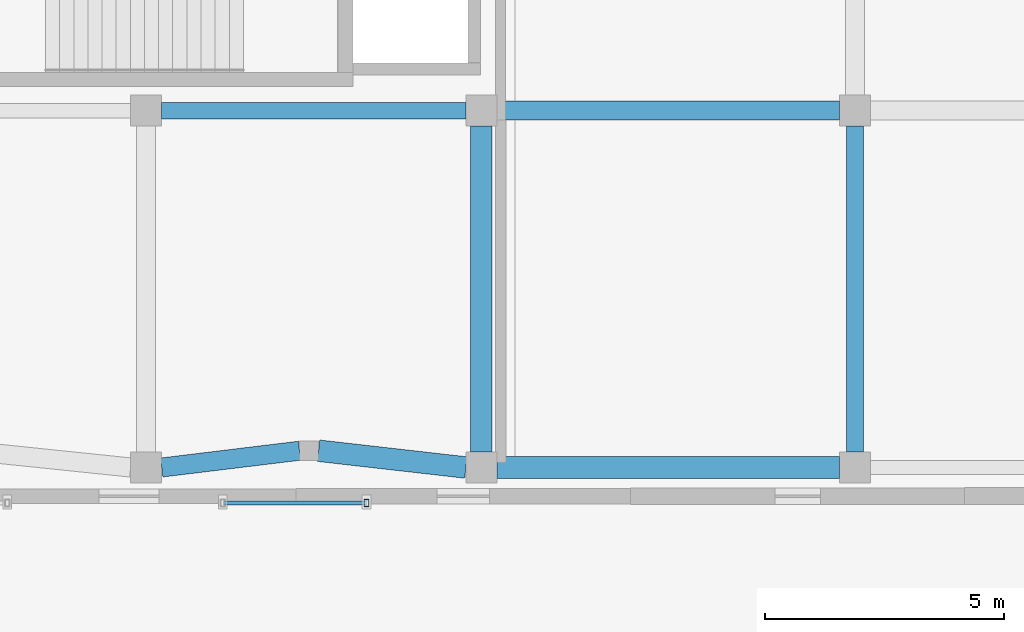
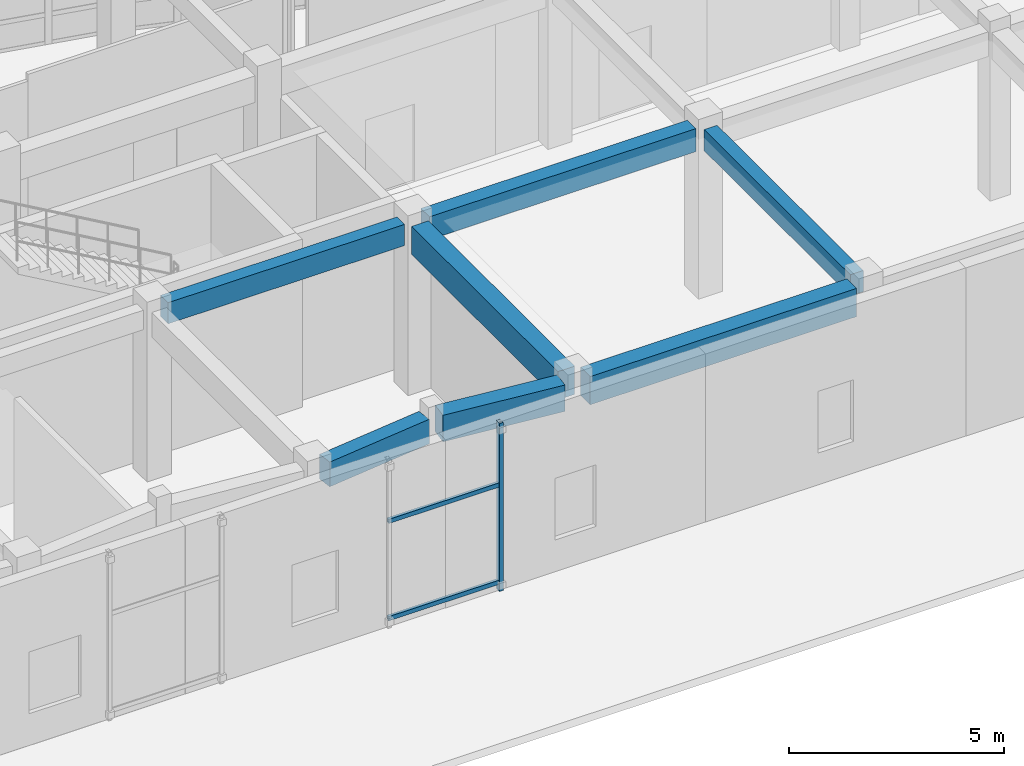
# One storey, part 33 of 121: 7 beams, 3 members.
"""IFC4 building model written with IfcOpenShell, lengths in metres."""

from ifc_helpers import new_model, si_unit, direction, frame, origin, origin_2d, place, context, subcontext, project, spatial, rectangle, hollow_rectangle, extrude, material, material_profile, profile_set, type_object, element, save


model = new_model("IFC4")

# Units and contexts
model_context = context("Model", 3, precision=1e-05, world=origin(), true_north=direction((0.0, 1.0)))
body_context = subcontext(model_context, "Body", "Model", "MODEL_VIEW")
ifc_project = project(units=[si_unit("LENGTHUNIT", "METRE"), si_unit("AREAUNIT", "SQUARE_METRE"), si_unit("VOLUMEUNIT", "CUBIC_METRE"), si_unit("PLANEANGLEUNIT", "RADIAN"), si_unit("MASSUNIT", "GRAM", prefix="KILO")], contexts=[model_context])

# Site, building, storey
site_placement = place(None, origin())
site = spatial("IfcSite", under=ifc_project, at=site_placement, CompositionType="ELEMENT")
building_placement = place(site_placement, origin())
building = spatial("IfcBuilding", under=site, at=building_placement, Name="Valcora Specialist Clinic", CompositionType="ELEMENT")
storey_placement = place(building_placement, origin())
storey = spatial("IfcBuildingStorey", under=building, at=storey_placement, Name="L00", CompositionType="ELEMENT", Elevation=0.0)

# Beams
ifc_material_1 = material(Name="Concrete C40/50", Category="concrete")
ifc_material_profile_1 = material_profile(ifc_material_1, rectangle(XDim=0.35009765625, YDim=0.60009765625, at=origin_2d()), Name="RC-BM-350X600")
ifc_profile_set_1 = profile_set([ifc_material_profile_1], Name="Concrete C40/50")
beam_type_1 = type_object("IfcBeamType", Name="TY-BM-RC350X600", PredefinedType="BEAM", material=ifc_profile_set_1)
beam_1_placement = place(storey_placement, frame((92.72509765625, 8.199951171875, 4.469970703125), z_axis=(1.0, 0.0, 0.0), x_axis=(0.0, 1.0, 0.0)))
element("IfcBeam", 1, at=beam_1_placement, inside=storey, type_object=beam_type_1, Name="Beam BM-L00-1238", PredefinedType="BEAM", context=body_context, shape_type="SweptSolid", body=[
    extrude(rectangle(XDim=0.35009765625, YDim=0.60009765625, at=origin_2d()), origin(), (0.0, 0.0, 1.0), 6.349853515625),
])
beam_2_placement = place(storey_placement, frame((107.199951171875, 1.074951171875, 4.469970703125), z_axis=(0.0, 1.0, 0.0), x_axis=(-1.0, 0.0, 0.0)))
element("IfcBeam", 2, at=beam_2_placement, inside=storey, type_object=beam_type_1, Name="Beam BM-L00-1278", PredefinedType="BEAM", context=body_context, shape_type="SweptSolid", body=[
    extrude(rectangle(XDim=0.35009765625, YDim=0.60009765625, at=origin_2d()), origin(), (0.0, 0.0, 1.0), 6.800048828125),
])
ifc_material_profile_2 = material_profile(ifc_material_1, rectangle(XDim=0.39990234375, YDim=0.64990234375, at=origin_2d()), Name="RC-BM-400X650")
ifc_profile_set_2 = profile_set([ifc_material_profile_2], Name="Concrete C40/50")
beam_type_2 = type_object("IfcBeamType", Name="TY-BM-RC400X650", PredefinedType="BEAM", material=ifc_profile_set_2)
beam_3_placement = place(storey_placement, frame((99.72509765625, 8.199951171875, 4.445068359375), z_axis=(1.0, 0.0, 0.0), x_axis=(0.0, 1.0, 0.0)))
element("IfcBeam", 3, at=beam_3_placement, inside=storey, type_object=beam_type_2, Name="Beam BM-L00-1239", PredefinedType="BEAM", context=body_context, shape_type="SweptSolid", body=[
    extrude(rectangle(XDim=0.39990234375, YDim=0.64990234375, at=origin_2d()), origin(), (0.0, 0.0, 1.0), 7.14990234375),
])
ifc_material_profile_3 = material_profile(ifc_material_1, rectangle(XDim=0.39990234375, YDim=0.699951171875, at=origin_2d()), Name="RC-BM-400X700")
ifc_profile_set_3 = profile_set([ifc_material_profile_3], Name="Concrete C40/50")
beam_type_3 = type_object("IfcBeamType", Name="TY-BM-RC400X700", PredefinedType="BEAM", material=ifc_profile_set_3)
beam_4_placement = place(storey_placement, frame((92.72509765625, 0.75, 4.419921875), z_axis=(0.992667109146, 0.120880148991, 0.0), x_axis=(-0.120880148991, 0.992667109146, 0.0)))
element("IfcBeam", 4, at=beam_4_placement, inside=storey, type_object=beam_type_3, Name="Beam BM-L00-1228", PredefinedType="BEAM", context=body_context, shape_type="SweptSolid", body=[
    extrude(rectangle(XDim=0.39990234375, YDim=0.699951171875, at=origin_2d()), origin(), (0.0, 0.0, 1.0), 2.896240234375),
])
ifc_material_profile_4 = material_profile(ifc_material_1, rectangle(XDim=0.449951171875, YDim=0.75, at=origin_2d()), Name="RC-BM-450X750")
ifc_profile_set_4 = profile_set([ifc_material_profile_4], Name="Concrete C40/50")
beam_type_4 = type_object("IfcBeamType", Name="TY-BM-RC450X750", PredefinedType="BEAM", material=ifc_profile_set_4)
beam_5_placement = place(storey_placement, frame((96.0, 1.10009765625, 4.39501953125), z_axis=(0.993580893822, -0.113123858812, 0.0), x_axis=(0.113123858812, 0.993580893822, 0.0)))
element("IfcBeam", 5, at=beam_5_placement, inside=storey, type_object=beam_type_4, Name="Beam BM-L00-1229", PredefinedType="BEAM", context=body_context, shape_type="SweptSolid", body=[
    extrude(rectangle(XDim=0.449951171875, YDim=0.75, at=origin_2d()), origin(), (0.0, 0.0, 1.0), 3.0947265625),
])
ifc_material_profile_5 = material_profile(ifc_material_1, rectangle(XDim=0.449951171875, YDim=0.800048828125, at=origin_2d()), Name="RC-BM-450X800")
ifc_profile_set_5 = profile_set([ifc_material_profile_5], Name="Concrete C40/50")
beam_type_5 = type_object("IfcBeamType", Name="TY-BM-RC450X800", PredefinedType="BEAM", material=ifc_profile_set_5)
beam_6_placement = place(storey_placement, frame((99.72509765625, 0.75, 4.3701171875), z_axis=(1.0, 0.0, 0.0), x_axis=(0.0, 1.0, 0.0)))
element("IfcBeam", 6, at=beam_6_placement, inside=storey, type_object=beam_type_5, Name="Beam BM-L00-1230", PredefinedType="BEAM", context=body_context, shape_type="SweptSolid", body=[
    extrude(rectangle(XDim=0.449951171875, YDim=0.800048828125, at=origin_2d()), origin(), (0.0, 0.0, 1.0), 7.14990234375),
])
beam_7_placement = place(storey_placement, frame((99.39990234375, 1.074951171875, 4.3701171875), z_axis=(0.0, 1.0, 0.0), x_axis=(-1.0, 0.0, 0.0)))
element("IfcBeam", 7, at=beam_7_placement, inside=storey, type_object=beam_type_5, Name="Beam BM-L00-1276", PredefinedType="BEAM", context=body_context, shape_type="SweptSolid", body=[
    extrude(rectangle(XDim=0.449951171875, YDim=0.800048828125, at=origin_2d()), origin(), (0.0, 0.0, 1.0), 6.800048828125),
])

# Members
ifc_material_2 = material(Name="Steel ASTM A500 Grade C", Category="steel")
ifc_material_profile_6 = material_profile(ifc_material_2, hollow_rectangle(XDim=0.10009765625, YDim=0.14990234375, WallThickness=0.006103515625, at=origin_2d()), Name="ST-RHS-150X100X6")
ifc_profile_set_6 = profile_set([ifc_material_profile_6], Name="Steel ASTM A500 Grade C")
member_type_1 = type_object("IfcMemberType", Name="TY-MB-SFPOST", PredefinedType="POST", material=ifc_profile_set_6)
member_placement = place(storey_placement, frame((97.0, 0.010009765625, 0.0), z_axis=(0.0, 0.0, 1.0), x_axis=(1.0, 0.0, 0.0)))
element("IfcMember", 8, at=member_placement, inside=storey, type_object=member_type_1, Name="Brick screen carrier post 38", PredefinedType="POST", context=body_context, shape_type="SweptSolid", body=[
    extrude(hollow_rectangle(XDim=0.10009765625, YDim=0.14990234375, WallThickness=0.006103515625, at=origin_2d()), origin(), (0.0, 0.0, 1.0), 4.77001953125),
])
ifc_material_profile_7 = material_profile(ifc_material_2, hollow_rectangle(XDim=0.080078125, YDim=0.1201171875, WallThickness=0.0048828125, at=origin_2d()), Name="ST-RHS-120X80X5")
ifc_profile_set_7 = profile_set([ifc_material_profile_7], Name="Steel ASTM A500 Grade C")
member_type_2 = type_object("IfcMemberType", Name="TY-MB-SFRAIL", PredefinedType="STRINGER", material=ifc_profile_set_7)
for number, where, z_axis, x_axis, name in (
    (9, (94.0, 0.010009765625, 0.239990234375), (1.0, 0.0, 0.0), (0.0, 1.0, 0.0), "Brick screen carrier rail 39"),
    (10, (94.0, 0.010009765625, 3.0), (1.0, 0.0, 0.0), (0.0, 1.0, 0.0), "Brick screen carrier rail 40"),
):
    element("IfcMember", number, at=place(storey_placement, frame(where, z_axis=z_axis, x_axis=x_axis)), inside=storey, type_object=member_type_2, Name=name, PredefinedType="STRINGER", context=body_context, shape_type="SweptSolid", body=[
        extrude(hollow_rectangle(XDim=0.080078125, YDim=0.1201171875, WallThickness=0.0048828125, at=origin_2d()), origin(), (0.0, 0.0, 1.0), 3.0),
    ])

save(model, "model.ifc")
